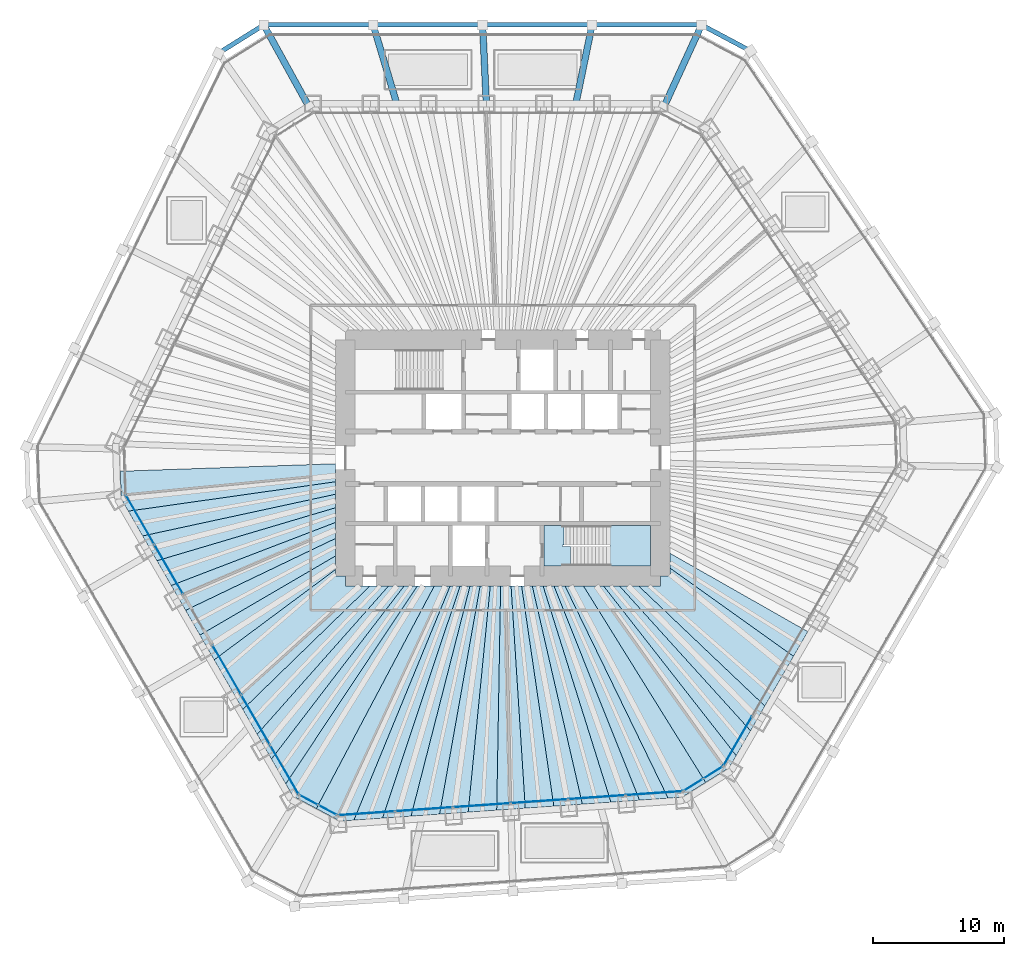
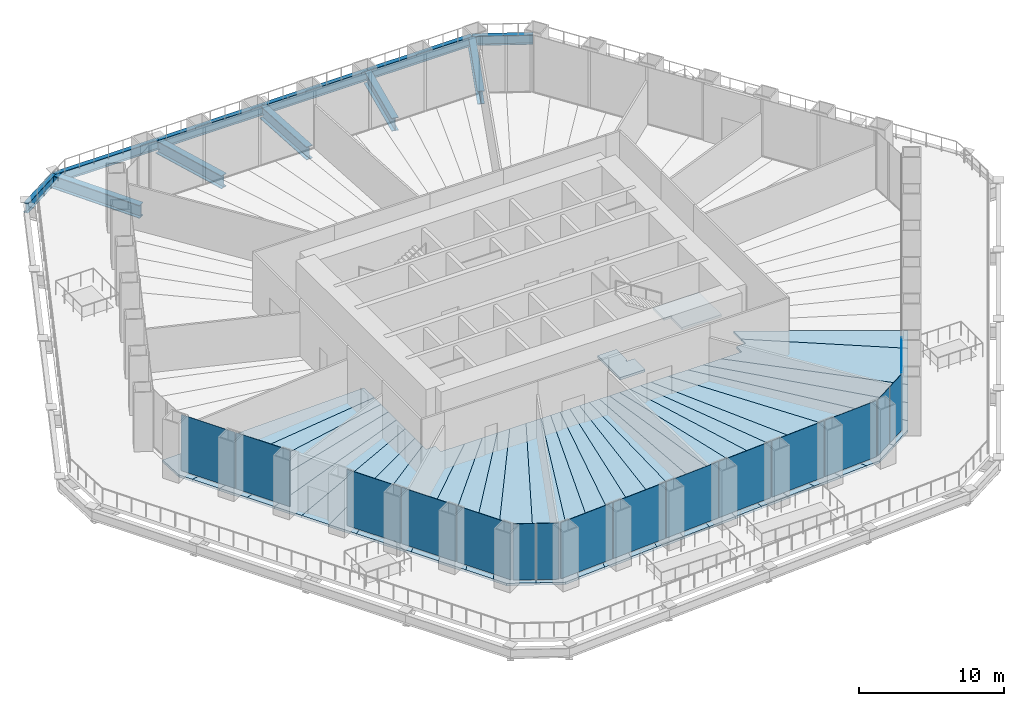
# One storey, part 12 of 20: 32 slabs, 16 plates, 11 beams, 7 elements without a shape of their own.
"""IFC4 building model written with IfcOpenShell, lengths in metres."""

from ifc_helpers import new_model, si_unit, direction, frame, origin, origin_2d, place, context, subcontext, project, spatial, polyline, rectangle, i_section, outline, extrude, material, layer, layer_set, material_profile, profile_set, type_object, element, aggregate, save


model = new_model("IFC4")

# Units and contexts
model_context = context("Model", 3, precision=1e-05, world=origin(), true_north=direction((0.0, 1.0)))
body_context = subcontext(model_context, "Body", "Model", "MODEL_VIEW")
ifc_project = project(units=[si_unit("LENGTHUNIT", "METRE"), si_unit("AREAUNIT", "SQUARE_METRE"), si_unit("VOLUMEUNIT", "CUBIC_METRE"), si_unit("PLANEANGLEUNIT", "RADIAN"), si_unit("MASSUNIT", "GRAM", prefix="KILO")], contexts=[model_context])

# Site, building, storey
site_placement = place(None, origin())
site = spatial("IfcSite", under=ifc_project, at=site_placement, CompositionType="ELEMENT")
building_placement = place(site_placement, origin())
building = spatial("IfcBuilding", under=site, at=building_placement, Name="Qingtian Harvest Tower", CompositionType="ELEMENT")
storey_placement = place(building_placement, frame((0.0, 0.0, 17.0)))
storey = spatial("IfcBuildingStorey", under=building, at=storey_placement, Name="L03", CompositionType="ELEMENT", Elevation=17.0)

# Beams
ifc_material_1 = material(Name="Steel SM570MC", Category="steel")
ifc_material_profile_1 = material_profile(ifc_material_1, i_section(OverallWidth=0.5, OverallDepth=1.10009765625, WebThickness=0.02490234375, FlangeThickness=0.050048828125, at=origin_2d()), Name="H1100x500x25x50")
ifc_profile_set_1 = profile_set([ifc_material_profile_1], Name="Steel SM570MC")
beam_type_1 = type_object("IfcBeamType", Name="Floor beam FB6 H1100x500x25x50", PredefinedType="BEAM", material=ifc_profile_set_1)
beam_1_placement = place(storey_placement, frame((-18.220703125, 33.0, -0.85009765625), z_axis=(0.483365161377, -0.875418825915, 0.0), x_axis=(0.875418825915, 0.483365161377, 0.0)))
element("IfcBeam", 1, at=beam_1_placement, inside=storey, type_object=beam_type_1, Name="Podium floor beam FB6 N0", PredefinedType="BEAM", context=body_context, shape_type="SweptSolid", body=[
    extrude(i_section(OverallWidth=0.5, OverallDepth=1.10009765625, WebThickness=0.02490234375, FlangeThickness=0.050048828125, at=origin_2d()), origin(), (0.0, 0.0, 1.0), 7.08544921875),
])
beam_2_placement = place(storey_placement, frame((-9.87890625, 33.0, -0.85009765625), z_axis=(0.286782790718, -0.957995632009, 0.0), x_axis=(0.957995632009, 0.286782790718, 0.0)))
element("IfcBeam", 2, at=beam_2_placement, inside=storey, type_object=beam_type_1, Name="Podium floor beam FB6 N1", PredefinedType="BEAM", context=body_context, shape_type="SweptSolid", body=[
    extrude(i_section(OverallWidth=0.5, OverallDepth=1.10009765625, WebThickness=0.02490234375, FlangeThickness=0.050048828125, at=origin_2d()), origin(), (0.0, 0.0, 1.0), 6.26318359375),
])
beam_3_placement = place(storey_placement, frame((-1.537109375, 33.0, -0.85009765625), z_axis=(0.046539686109, -0.998916441759, 0.0), x_axis=(0.998916441759, 0.046539686109, 0.0)))
element("IfcBeam", 3, at=beam_3_placement, inside=storey, type_object=beam_type_1, Name="Podium floor beam FB6 N2", PredefinedType="BEAM", context=body_context, shape_type="SweptSolid", body=[
    extrude(i_section(OverallWidth=0.5, OverallDepth=1.10009765625, WebThickness=0.02490234375, FlangeThickness=0.050048828125, at=origin_2d()), origin(), (0.0, 0.0, 1.0), 6.006591796875),
])
beam_4_placement = place(storey_placement, frame((6.8046875, 33.0, -0.85009765625), z_axis=(-0.201967754187, -0.979392171844, 0.0), x_axis=(0.979392171844, -0.201967754187, 0.0)))
element("IfcBeam", 4, at=beam_4_placement, inside=storey, type_object=beam_type_1, Name="Podium floor beam FB6 N3", PredefinedType="BEAM", context=body_context, shape_type="SweptSolid", body=[
    extrude(i_section(OverallWidth=0.5, OverallDepth=1.10009765625, WebThickness=0.02490234375, FlangeThickness=0.050048828125, at=origin_2d()), origin(), (0.0, 0.0, 1.0), 6.126220703125),
])
beam_5_placement = place(storey_placement, frame((15.146484375, 33.0, -0.85009765625), z_axis=(-0.417153576737, -0.908836010189, 0.0), x_axis=(0.908836010189, -0.417153576737, 0.0)))
element("IfcBeam", 5, at=beam_5_placement, inside=storey, type_object=beam_type_1, Name="Podium floor beam FB6 N4", PredefinedType="BEAM", context=body_context, shape_type="SweptSolid", body=[
    extrude(i_section(OverallWidth=0.5, OverallDepth=1.10009765625, WebThickness=0.02490234375, FlangeThickness=0.050048828125, at=origin_2d()), origin(), (0.0, 0.0, 1.0), 6.80712890625),
])
ifc_material_2 = material(Name="Steel SN490B", Category="steel")
ifc_material_profile_2 = material_profile(ifc_material_2, i_section(OverallWidth=0.35009765625, OverallDepth=0.800048828125, WebThickness=0.01611328125, FlangeThickness=0.028076171875, at=origin_2d()), Name="H800x350x16x28")
ifc_profile_set_2 = profile_set([ifc_material_profile_2], Name="Steel SN490B")
beam_type_2 = type_object("IfcBeamType", Name="Podium beam PB1 H800x350x16x28", PredefinedType="BEAM", material=ifc_profile_set_2)
for number, where, z_axis, x_axis, name in (
    (6, (-18.220703125, 33.0, -0.699951171875), (1.0, 0.0, 0.0), (0.0, 1.0, 0.0), "Podium edge beam PB1 N0"),
    (7, (-9.87890625, 33.0, -0.699951171875), (1.0, 0.0, 0.0), (0.0, 1.0, 0.0), "Podium edge beam PB1 N1"),
    (8, (-1.537109375, 33.0, -0.699951171875), (1.0, 0.0, 0.0), (0.0, 1.0, 0.0), "Podium edge beam PB1 N2"),
    (9, (6.8046875, 33.0, -0.699951171875), (1.0, 0.0, 0.0), (0.0, 1.0, 0.0), "Podium edge beam PB1 N3"),
):
    element("IfcBeam", number, at=place(storey_placement, frame(where, z_axis=z_axis, x_axis=x_axis)), inside=storey, type_object=beam_type_2, Name=name, PredefinedType="BEAM", context=body_context, shape_type="SweptSolid", body=[
        extrude(i_section(OverallWidth=0.35009765625, OverallDepth=0.800048828125, WebThickness=0.01611328125, FlangeThickness=0.028076171875, at=origin_2d()), origin(), (0.0, 0.0, 1.0), 8.341796875),
    ])
beam_6_placement = place(storey_placement, frame((15.146484375, 33.0, -0.699951171875), z_axis=(0.882935902835, -0.469493547863, 0.0), x_axis=(0.469493547863, 0.882935902835, 0.0)))
element("IfcBeam", 10, at=beam_6_placement, inside=storey, type_object=beam_type_2, Name="Podium edge beam PB1 N4", PredefinedType="BEAM", context=body_context, shape_type="SweptSolid", body=[
    extrude(i_section(OverallWidth=0.35009765625, OverallDepth=0.800048828125, WebThickness=0.01611328125, FlangeThickness=0.028076171875, at=origin_2d()), origin(), (0.0, 0.0, 1.0), 4.238037109375),
])
beam_7_placement = place(storey_placement, frame((-21.6728515625, 30.8427734375, -0.699951171875), z_axis=(0.848038733752, 0.529934246919, 0.0), x_axis=(-0.529934246919, 0.848038733752, 0.0)))
element("IfcBeam", 11, at=beam_7_placement, inside=storey, type_object=beam_type_2, Name="Podium edge beam PB1 NW4", PredefinedType="BEAM", context=body_context, shape_type="SweptSolid", body=[
    extrude(i_section(OverallWidth=0.35009765625, OverallDepth=0.800048828125, WebThickness=0.01611328125, FlangeThickness=0.028076171875, at=origin_2d()), origin(), (0.0, 0.0, 1.0), 4.07080078125),
])

# Slabs
ifc_material_3 = material(Name="Concrete fc' 35 MPa", Category="concrete")
ifc_layer_1 = layer(ifc_material_3, 0.199951171875)
ifc_layer_set_1 = layer_set([ifc_layer_1], Name="Composite floor slab FS20 200")
slab_type_1 = type_object("IfcSlabType", Name="Composite floor slab FS20 200", PredefinedType="FLOOR", material=ifc_layer_set_1)
slab_1_placement = place(storey_placement, frame((0.0, 0.0, -0.199951171875)))
element("IfcSlab", 12, at=slab_1_placement, inside=storey, type_object=slab_type_1, Name="Floor slab L03 panel D01", PredefinedType="FLOOR", context=body_context, shape_type="SweptSolid", body=[
    extrude(outline(polyline([(-29.157470703125, -1.018310546875), (-12.75, -0.447509765625), (-12.75, -1.822998046875), (-28.548583984375, -4.062255859375), (-29.08349609375, -3.135986328125), (-29.157470703125, -1.018310546875)])), origin(), (0.0, 0.0, 1.0), 0.199951171875),
])
slab_2_placement = place(storey_placement, frame((0.0, 0.0, -0.199951171875)))
element("IfcSlab", 13, at=slab_2_placement, inside=storey, type_object=slab_type_1, Name="Floor slab L03 panel D02", PredefinedType="FLOOR", context=body_context, shape_type="SweptSolid", body=[
    extrude(outline(polyline([(-12.75, -2.773681640625), (-27.45751953125, -5.9521484375), (-28.548583984375, -4.062255859375), (-12.75, -1.822998046875), (-12.75, -2.773681640625)])), origin(), (0.0, 0.0, 1.0), 0.199951171875),
])
slab_3_placement = place(storey_placement, frame((0.0, 0.0, -0.199951171875)))
element("IfcSlab", 14, at=slab_3_placement, inside=storey, type_object=slab_type_1, Name="Floor slab L03 panel D03", PredefinedType="FLOOR", context=body_context, shape_type="SweptSolid", body=[
    extrude(outline(polyline([(-12.75, -3.80322265625), (-26.366455078125, -7.842041015625), (-27.45751953125, -5.9521484375), (-12.75, -2.773681640625), (-12.75, -3.80322265625)])), origin(), (0.0, 0.0, 1.0), 0.199951171875),
])
slab_4_placement = place(storey_placement, frame((0.0, 0.0, -0.199951171875)))
element("IfcSlab", 15, at=slab_4_placement, inside=storey, type_object=slab_type_1, Name="Floor slab L03 panel D04", PredefinedType="FLOOR", context=body_context, shape_type="SweptSolid", body=[
    extrude(outline(polyline([(-12.75, -4.921875), (-25.275146484375, -9.732177734375), (-26.366455078125, -7.842041015625), (-12.75, -3.80322265625), (-12.75, -4.921875)])), origin(), (0.0, 0.0, 1.0), 0.199951171875),
])
slab_5_placement = place(storey_placement, frame((0.0, 0.0, -0.199951171875)))
element("IfcSlab", 16, at=slab_5_placement, inside=storey, type_object=slab_type_1, Name="Floor slab L03 panel D05", PredefinedType="FLOOR", context=body_context, shape_type="SweptSolid", body=[
    extrude(outline(polyline([(-12.75, -6.141357421875), (-24.18408203125, -11.6220703125), (-25.275146484375, -9.732177734375), (-12.75, -4.921875), (-12.75, -6.141357421875)])), origin(), (0.0, 0.0, 1.0), 0.199951171875),
])
slab_6_placement = place(storey_placement, frame((0.0, 0.0, -0.199951171875)))
element("IfcSlab", 17, at=slab_6_placement, inside=storey, type_object=slab_type_1, Name="Floor slab L03 panel D06", PredefinedType="FLOOR", context=body_context, shape_type="SweptSolid", body=[
    extrude(outline(polyline([(-12.75, -7.4765625), (-23.0927734375, -13.511962890625), (-24.18408203125, -11.6220703125), (-12.75, -6.141357421875), (-12.75, -7.4765625)])), origin(), (0.0, 0.0, 1.0), 0.199951171875),
])
slab_7_placement = place(storey_placement, frame((0.0, 0.0, -0.199951171875)))
element("IfcSlab", 18, at=slab_7_placement, inside=storey, type_object=slab_type_1, Name="Floor slab L03 panel D07", PredefinedType="FLOOR", context=body_context, shape_type="SweptSolid", body=[
    extrude(outline(polyline([(-12.75, -8.512451171875), (-22.00537109375, -15.3955078125), (-23.0927734375, -13.511962890625), (-12.75, -7.4765625), (-12.75, -8.512451171875)])), origin(), (0.0, 0.0, 1.0), 0.199951171875),
])
slab_8_placement = place(storey_placement, frame((0.0, 0.0, -0.199951171875)))
element("IfcSlab", 19, at=slab_8_placement, inside=storey, type_object=slab_type_1, Name="Floor slab L03 panel D09", PredefinedType="FLOOR", context=body_context, shape_type="SweptSolid", body=[
    extrude(outline(polyline([(-19.81982421875, -19.18115234375), (-22.00537109375, -15.3955078125), (-12.75, -8.512451171875), (-12.75, -9.0), (-12.0, -9.0), (-12.0, -9.75), (-10.1123046875, -9.75), (-19.81982421875, -19.18115234375)])), origin(), (0.0, 0.0, 1.0), 0.199951171875),
])
slab_9_placement = place(storey_placement, frame((0.0, 0.0, -0.199951171875)))
element("IfcSlab", 20, at=slab_9_placement, inside=storey, type_object=slab_type_1, Name="Floor slab L03 panel D10", PredefinedType="FLOOR", context=body_context, shape_type="SweptSolid", body=[
    extrude(outline(polyline([(-8.694580078125, -9.75), (-18.728515625, -21.0712890625), (-19.81982421875, -19.18115234375), (-10.1123046875, -9.75), (-8.694580078125, -9.75)])), origin(), (0.0, 0.0, 1.0), 0.199951171875),
])
slab_10_placement = place(storey_placement, frame((0.0, 0.0, -0.199951171875)))
element("IfcSlab", 21, at=slab_10_placement, inside=storey, type_object=slab_type_1, Name="Floor slab L03 panel D11", PredefinedType="FLOOR", context=body_context, shape_type="SweptSolid", body=[
    extrude(outline(polyline([(-7.511474609375, -9.75), (-17.63720703125, -22.961181640625), (-18.728515625, -21.0712890625), (-8.694580078125, -9.75), (-7.511474609375, -9.75)])), origin(), (0.0, 0.0, 1.0), 0.199951171875),
])
slab_11_placement = place(storey_placement, frame((0.0, 0.0, -0.199951171875)))
element("IfcSlab", 22, at=slab_11_placement, inside=storey, type_object=slab_type_1, Name="Floor slab L03 panel D12", PredefinedType="FLOOR", context=body_context, shape_type="SweptSolid", body=[
    extrude(outline(polyline([(-6.509033203125, -9.75), (-16.546142578125, -24.851318359375), (-17.63720703125, -22.961181640625), (-7.511474609375, -9.75), (-6.509033203125, -9.75)])), origin(), (0.0, 0.0, 1.0), 0.199951171875),
])
slab_12_placement = place(storey_placement, frame((0.0, 0.0, -0.199951171875)))
element("IfcSlab", 23, at=slab_12_placement, inside=storey, type_object=slab_type_1, Name="Floor slab L03 panel D13", PredefinedType="FLOOR", context=body_context, shape_type="SweptSolid", body=[
    extrude(outline(polyline([(-6.509033203125, -9.75), (-5.213623046875, -9.75), (-14.214599609375, -26.73291015625), (-16.01123046875, -25.777587890625), (-16.546142578125, -24.851318359375), (-6.509033203125, -9.75)])), origin(), (0.0, 0.0, 1.0), 0.199951171875),
])
slab_13_placement = place(storey_placement, frame((0.0, 0.0, -0.199951171875)))
element("IfcSlab", 24, at=slab_13_placement, inside=storey, type_object=slab_type_1, Name="Floor slab L03 panel D14", PredefinedType="FLOOR", context=body_context, shape_type="SweptSolid", body=[
    extrude(outline(polyline([(-5.213623046875, -9.75), (-4.006591796875, -9.75), (-11.350341796875, -27.614013671875), (-12.417236328125, -27.688720703125), (-14.214599609375, -26.73291015625), (-5.213623046875, -9.75)])), origin(), (0.0, 0.0, 1.0), 0.199951171875),
])
slab_14_placement = place(storey_placement, frame((0.0, 0.0, -0.199951171875)))
element("IfcSlab", 25, at=slab_14_placement, inside=storey, type_object=slab_type_1, Name="Floor slab L03 panel D15", PredefinedType="FLOOR", context=body_context, shape_type="SweptSolid", body=[
    extrude(outline(polyline([(-3.255859375, -9.75), (-9.17333984375, -27.4619140625), (-11.350341796875, -27.614013671875), (-4.006591796875, -9.75), (-3.255859375, -9.75)])), origin(), (0.0, 0.0, 1.0), 0.199951171875),
])
slab_15_placement = place(storey_placement, frame((0.0, 0.0, -0.199951171875)))
element("IfcSlab", 26, at=slab_15_placement, inside=storey, type_object=slab_type_1, Name="Floor slab L03 panel D16", PredefinedType="FLOOR", context=body_context, shape_type="SweptSolid", body=[
    extrude(outline(polyline([(-2.496826171875, -9.75), (-6.996337890625, -27.3095703125), (-9.17333984375, -27.4619140625), (-3.255859375, -9.75), (-2.496826171875, -9.75)])), origin(), (0.0, 0.0, 1.0), 0.199951171875),
])
slab_16_placement = place(storey_placement, frame((0.0, 0.0, -0.199951171875)))
element("IfcSlab", 27, at=slab_16_placement, inside=storey, type_object=slab_type_1, Name="Floor slab L03 panel D17", PredefinedType="FLOOR", context=body_context, shape_type="SweptSolid", body=[
    extrude(outline(polyline([(-1.729248046875, -9.75), (-4.8193359375, -27.1572265625), (-6.996337890625, -27.3095703125), (-2.496826171875, -9.75), (-1.729248046875, -9.75)])), origin(), (0.0, 0.0, 1.0), 0.199951171875),
])
slab_17_placement = place(storey_placement, frame((0.0, 0.0, -0.199951171875)))
element("IfcSlab", 28, at=slab_17_placement, inside=storey, type_object=slab_type_1, Name="Floor slab L03 panel D18", PredefinedType="FLOOR", context=body_context, shape_type="SweptSolid", body=[
    extrude(outline(polyline([(-0.952880859375, -9.75), (-2.642333984375, -27.005126953125), (-4.8193359375, -27.1572265625), (-1.729248046875, -9.75), (-0.952880859375, -9.75)])), origin(), (0.0, 0.0, 1.0), 0.199951171875),
])
slab_18_placement = place(storey_placement, frame((0.0, 0.0, -0.199951171875)))
element("IfcSlab", 29, at=slab_18_placement, inside=storey, type_object=slab_type_1, Name="Floor slab L03 panel D19", PredefinedType="FLOOR", context=body_context, shape_type="SweptSolid", body=[
    extrude(outline(polyline([(-0.16796875, -9.75), (-0.46533203125, -26.852783203125), (-2.642333984375, -27.005126953125), (-0.952880859375, -9.75), (-0.16796875, -9.75)])), origin(), (0.0, 0.0, 1.0), 0.199951171875),
])
slab_19_placement = place(storey_placement, frame((0.0, 0.0, -0.199951171875)))
element("IfcSlab", 30, at=slab_19_placement, inside=storey, type_object=slab_type_1, Name="Floor slab L03 panel D20", PredefinedType="FLOOR", context=body_context, shape_type="SweptSolid", body=[
    extrude(outline(polyline([(0.626220703125, -9.75), (1.711669921875, -26.70068359375), (-0.46533203125, -26.852783203125), (-0.16796875, -9.75), (0.626220703125, -9.75)])), origin(), (0.0, 0.0, 1.0), 0.199951171875),
])
slab_20_placement = place(storey_placement, frame((0.0, 0.0, -0.199951171875)))
element("IfcSlab", 31, at=slab_20_placement, inside=storey, type_object=slab_type_1, Name="Floor slab L03 panel D21", PredefinedType="FLOOR", context=body_context, shape_type="SweptSolid", body=[
    extrude(outline(polyline([(1.42919921875, -9.75), (3.888671875, -26.54833984375), (1.711669921875, -26.70068359375), (0.626220703125, -9.75), (1.42919921875, -9.75)])), origin(), (0.0, 0.0, 1.0), 0.199951171875),
])
slab_21_placement = place(storey_placement, frame((0.0, 0.0, -0.199951171875)))
element("IfcSlab", 32, at=slab_21_placement, inside=storey, type_object=slab_type_1, Name="Floor slab L03 panel D22", PredefinedType="FLOOR", context=body_context, shape_type="SweptSolid", body=[
    extrude(outline(polyline([(2.24169921875, -9.75), (6.065673828125, -26.396240234375), (3.888671875, -26.54833984375), (1.42919921875, -9.75), (2.24169921875, -9.75)])), origin(), (0.0, 0.0, 1.0), 0.199951171875),
])
slab_22_placement = place(storey_placement, frame((0.0, 0.0, -0.199951171875)))
element("IfcSlab", 33, at=slab_22_placement, inside=storey, type_object=slab_type_1, Name="Floor slab L03 panel D23", PredefinedType="FLOOR", context=body_context, shape_type="SweptSolid", body=[
    extrude(outline(polyline([(3.0634765625, -9.75), (8.24267578125, -26.243896484375), (6.065673828125, -26.396240234375), (2.24169921875, -9.75), (3.0634765625, -9.75)])), origin(), (0.0, 0.0, 1.0), 0.199951171875),
])
slab_23_placement = place(storey_placement, frame((0.0, 0.0, -0.199951171875)))
element("IfcSlab", 34, at=slab_23_placement, inside=storey, type_object=slab_type_1, Name="Floor slab L03 panel D24", PredefinedType="FLOOR", context=body_context, shape_type="SweptSolid", body=[
    extrude(outline(polyline([(3.894775390625, -9.75), (10.419677734375, -26.091796875), (8.24267578125, -26.243896484375), (3.0634765625, -9.75), (3.894775390625, -9.75)])), origin(), (0.0, 0.0, 1.0), 0.199951171875),
])
slab_24_placement = place(storey_placement, frame((0.0, 0.0, -0.199951171875)))
element("IfcSlab", 35, at=slab_24_placement, inside=storey, type_object=slab_type_1, Name="Floor slab L03 panel D25", PredefinedType="FLOOR", context=body_context, shape_type="SweptSolid", body=[
    extrude(outline(polyline([(4.736083984375, -9.75), (12.5966796875, -25.939453125), (10.419677734375, -26.091796875), (3.894775390625, -9.75), (4.736083984375, -9.75)])), origin(), (0.0, 0.0, 1.0), 0.199951171875),
])
slab_25_placement = place(storey_placement, frame((0.0, 0.0, -0.199951171875)))
element("IfcSlab", 36, at=slab_25_placement, inside=storey, type_object=slab_type_1, Name="Floor slab L03 panel D26", PredefinedType="FLOOR", context=body_context, shape_type="SweptSolid", body=[
    extrude(outline(polyline([(4.736083984375, -9.75), (6.136474609375, -9.75), (15.4609375, -24.74169921875), (13.663330078125, -25.864990234375), (12.5966796875, -25.939453125), (4.736083984375, -9.75)])), origin(), (0.0, 0.0, 1.0), 0.199951171875),
])
slab_26_placement = place(storey_placement, frame((0.0, 0.0, -0.199951171875)))
element("IfcSlab", 37, at=slab_26_placement, inside=storey, type_object=slab_type_1, Name="Floor slab L03 panel D27", PredefinedType="FLOOR", context=body_context, shape_type="SweptSolid", body=[
    extrude(outline(polyline([(6.136474609375, -9.75), (7.66748046875, -9.75), (17.79248046875, -22.692626953125), (17.257568359375, -23.618896484375), (15.4609375, -24.74169921875), (6.136474609375, -9.75)])), origin(), (0.0, 0.0, 1.0), 0.199951171875),
])
slab_27_placement = place(storey_placement, frame((0.0, 0.0, -0.199951171875)))
element("IfcSlab", 38, at=slab_27_placement, inside=storey, type_object=slab_type_1, Name="Floor slab L03 panel D28", PredefinedType="FLOOR", context=body_context, shape_type="SweptSolid", body=[
    extrude(outline(polyline([(8.88037109375, -9.75), (18.883544921875, -20.802734375), (17.79248046875, -22.692626953125), (7.66748046875, -9.75), (8.88037109375, -9.75)])), origin(), (0.0, 0.0, 1.0), 0.199951171875),
])
slab_28_placement = place(storey_placement, frame((0.0, 0.0, -0.199951171875)))
element("IfcSlab", 39, at=slab_28_placement, inside=storey, type_object=slab_type_1, Name="Floor slab L03 panel D29", PredefinedType="FLOOR", context=body_context, shape_type="SweptSolid", body=[
    extrude(outline(polyline([(10.337158203125, -9.75), (19.974853515625, -18.91259765625), (18.883544921875, -20.802734375), (8.88037109375, -9.75), (10.337158203125, -9.75)])), origin(), (0.0, 0.0, 1.0), 0.199951171875),
])
slab_29_placement = place(storey_placement, frame((0.0, 0.0, -0.199951171875)))
element("IfcSlab", 40, at=slab_29_placement, inside=storey, type_object=slab_type_1, Name="Floor slab L03 panel D31", PredefinedType="FLOOR", context=body_context, shape_type="SweptSolid", body=[
    extrude(outline(polyline([(12.75, -8.4091796875), (22.159423828125, -15.128662109375), (19.974853515625, -18.91259765625), (10.337158203125, -9.75), (12.0, -9.75), (12.0, -9.0), (12.75, -9.0), (12.75, -8.4091796875)])), origin(), (0.0, 0.0, 1.0), 0.199951171875),
])
slab_30_placement = place(storey_placement, frame((0.0, 0.0, -0.199951171875)))
element("IfcSlab", 41, at=slab_30_placement, inside=storey, type_object=slab_type_1, Name="Floor slab L03 panel D32", PredefinedType="FLOOR", context=body_context, shape_type="SweptSolid", body=[
    extrude(outline(polyline([(12.75, -7.279052734375), (23.247802734375, -13.243408203125), (22.159423828125, -15.128662109375), (12.75, -8.4091796875), (12.75, -7.279052734375)])), origin(), (0.0, 0.0, 1.0), 0.199951171875),
])

# Curtain wall, plate
ifc_material_4 = material(Name="Bronze-anodised aluminium curtain wall", Category="aluminium")
curtain_wall_type = type_object("IfcCurtainWallType", Name="Curtain wall CW2 farm reception", PredefinedType="USERDEFINED", material=ifc_material_4)
curtain_wall_1_placement = place(storey_placement, origin())
curtain_wall_1 = element("IfcCurtainWall", 42, at=curtain_wall_1_placement, inside=storey, type_object=curtain_wall_type, Name="Curtain wall CW2 L03 SE0-5", ObjectType="RECESSED CURTAIN WALL", PredefinedType="USERDEFINED")
ifc_material_5 = material(Name="Bronze-tinted laminated insulating glass", Category="glass")
ifc_layer_2 = layer(ifc_material_5, 0.030029296875)
ifc_layer_set_2 = layer_set([ifc_layer_2], Name="Glazed panel CWP tinted IGU")
plate_type = type_object("IfcPlateType", Name="Glazed panel CWP tinted IGU", PredefinedType="CURTAIN_PANEL", material=ifc_layer_set_2)
plate_1_placement = place(storey_placement, frame((17.90771484375, -21.5830078125, 0.06494140625), z_axis=(0.0, 0.0, 1.0), x_axis=(-0.5, -0.866025403784, 0.0)))
plate_1 = element("IfcPlate", 43, at=plate_1_placement, type_object=plate_type, Name="CW2 panel 6.1", PredefinedType="CURTAIN_PANEL", context=body_context, shape_type="SweptSolid", body=[
    extrude(rectangle(XDim=4.30712890625, YDim=0.030029296875, at=origin_2d()), origin(), (0.0, 0.0, 1.0), 4.735107421875),
])
aggregate(curtain_wall_1, [plate_1])

# Curtain wall, plates
curtain_wall_2_placement = place(storey_placement, origin())
curtain_wall_2 = element("IfcCurtainWall", 44, at=curtain_wall_2_placement, inside=storey, type_object=curtain_wall_type, Name="Curtain wall CW2 L03 SEC", ObjectType="RECESSED CURTAIN WALL", PredefinedType="USERDEFINED")
plate_2_placement = place(storey_placement, frame((16.025390625, -23.9873046875, 0.06494140625), z_axis=(0.0, 0.0, 1.0), x_axis=(-0.848048096156, -0.529919264233, 0.0)))
plate_2 = element("IfcPlate", 45, at=plate_2_placement, type_object=plate_type, Name="CW2 panel 1.1", PredefinedType="CURTAIN_PANEL", context=body_context, shape_type="SweptSolid", body=[
    extrude(rectangle(XDim=1.69287109375, YDim=0.030029296875, at=origin_2d()), origin(), (0.0, 0.0, 1.0), 4.735107421875),
])
plate_3_placement = place(storey_placement, frame((14.53466796875, -24.9189453125, 0.06494140625), z_axis=(0.0, 0.0, 1.0), x_axis=(-0.848048096156, -0.529919264233, 0.0)))
plate_3 = element("IfcPlate", 46, at=plate_3_placement, type_object=plate_type, Name="CW2 panel 2.1", PredefinedType="CURTAIN_PANEL", context=body_context, shape_type="SweptSolid", body=[
    extrude(rectangle(XDim=1.69287109375, YDim=0.030029296875, at=origin_2d()), origin(), (0.0, 0.0, 1.0), 4.735107421875),
])
aggregate(curtain_wall_2, [plate_2, plate_3])

curtain_wall_3_placement = place(storey_placement, origin())
curtain_wall_3 = element("IfcCurtainWall", 47, at=curtain_wall_3_placement, inside=storey, type_object=curtain_wall_type, Name="Curtain wall CW2 L03 S0-5", ObjectType="RECESSED CURTAIN WALL", PredefinedType="USERDEFINED")
plate_4_placement = place(storey_placement, frame((11.548583984375, -25.556640625, 0.06494140625), z_axis=(0.0, 0.0, 1.0), x_axis=(-0.99756405026, -0.069756473744, 0.0)))
plate_4 = element("IfcPlate", 48, at=plate_4_placement, type_object=plate_type, Name="CW2 panel 1.1", PredefinedType="CURTAIN_PANEL", context=body_context, shape_type="SweptSolid", body=[
    extrude(rectangle(XDim=4.30712890625, YDim=0.030029296875, at=origin_2d()), origin(), (0.0, 0.0, 1.0), 4.735107421875),
])
plate_5_placement = place(storey_placement, frame((7.1708984375, -25.86279296875, 0.06494140625), z_axis=(0.0, 0.0, 1.0), x_axis=(-0.99756405026, -0.069756473744, 0.0)))
plate_5 = element("IfcPlate", 49, at=plate_5_placement, type_object=plate_type, Name="CW2 panel 2.1", PredefinedType="CURTAIN_PANEL", context=body_context, shape_type="SweptSolid", body=[
    extrude(rectangle(XDim=4.339599609375, YDim=0.030029296875, at=origin_2d()), origin(), (0.0, 0.0, 1.0), 4.735107421875),
])
plate_6_placement = place(storey_placement, frame((2.77685546875, -26.169921875, 0.06494140625), z_axis=(0.0, 0.0, 1.0), x_axis=(-0.99756405026, -0.069756473744, 0.0)))
plate_6 = element("IfcPlate", 50, at=plate_6_placement, type_object=plate_type, Name="CW2 panel 3.1", PredefinedType="CURTAIN_PANEL", context=body_context, shape_type="SweptSolid", body=[
    extrude(rectangle(XDim=4.339599609375, YDim=0.030029296875, at=origin_2d()), origin(), (0.0, 0.0, 1.0), 4.735107421875),
])
plate_7_placement = place(storey_placement, frame((-1.616943359375, -26.477294921875, 0.06494140625), z_axis=(0.0, 0.0, 1.0), x_axis=(-0.99756405026, -0.069756473744, 0.0)))
plate_7 = element("IfcPlate", 51, at=plate_7_placement, type_object=plate_type, Name="CW2 panel 4.1", PredefinedType="CURTAIN_PANEL", context=body_context, shape_type="SweptSolid", body=[
    extrude(rectangle(XDim=4.339599609375, YDim=0.030029296875, at=origin_2d()), origin(), (0.0, 0.0, 1.0), 4.735107421875),
])
plate_8_placement = place(storey_placement, frame((-6.0107421875, -26.784423828125, 0.06494140625), z_axis=(0.0, 0.0, 1.0), x_axis=(-0.99756405026, -0.069756473744, 0.0)))
plate_8 = element("IfcPlate", 52, at=plate_8_placement, type_object=plate_type, Name="CW2 panel 5.1", PredefinedType="CURTAIN_PANEL", context=body_context, shape_type="SweptSolid", body=[
    extrude(rectangle(XDim=4.339599609375, YDim=0.030029296875, at=origin_2d()), origin(), (0.0, 0.0, 1.0), 4.735107421875),
])
plate_9_placement = place(storey_placement, frame((-10.388427734375, -27.090576171875, 0.06494140625), z_axis=(0.0, 0.0, 1.0), x_axis=(-0.99756405026, -0.069756473744, 0.0)))
plate_9 = element("IfcPlate", 53, at=plate_9_placement, type_object=plate_type, Name="CW2 panel 6.1", PredefinedType="CURTAIN_PANEL", context=body_context, shape_type="SweptSolid", body=[
    extrude(rectangle(XDim=4.30712890625, YDim=0.030029296875, at=origin_2d()), origin(), (0.0, 0.0, 1.0), 4.735107421875),
])
aggregate(curtain_wall_3, [plate_4, plate_5, plate_6, plate_7, plate_8, plate_9])

curtain_wall_4_placement = place(storey_placement, origin())
curtain_wall_4 = element("IfcCurtainWall", 54, at=curtain_wall_4_placement, inside=storey, type_object=curtain_wall_type, Name="Curtain wall CW2 L03 SC", ObjectType="RECESSED CURTAIN WALL", PredefinedType="USERDEFINED")
plate_10_placement = place(storey_placement, frame((-13.350830078125, -26.84716796875, 0.06494140625), z_axis=(0.0, 0.0, 1.0), x_axis=(-0.882947592859, 0.469471562786, 0.0)))
plate_10 = element("IfcPlate", 55, at=plate_10_placement, type_object=plate_type, Name="CW2 panel 1.1", PredefinedType="CURTAIN_PANEL", context=body_context, shape_type="SweptSolid", body=[
    extrude(rectangle(XDim=1.56689453125, YDim=0.030029296875, at=origin_2d()), origin(), (0.0, 0.0, 1.0), 4.735107421875),
])
plate_11_placement = place(storey_placement, frame((-14.79150390625, -26.0810546875, 0.06494140625), z_axis=(0.0, 0.0, 1.0), x_axis=(-0.882947592859, 0.469471562786, 0.0)))
plate_11 = element("IfcPlate", 56, at=plate_11_placement, type_object=plate_type, Name="CW2 panel 2.1", PredefinedType="CURTAIN_PANEL", context=body_context, shape_type="SweptSolid", body=[
    extrude(rectangle(XDim=1.56689453125, YDim=0.030029296875, at=origin_2d()), origin(), (0.0, 0.0, 1.0), 4.735107421875),
])
aggregate(curtain_wall_4, [plate_10, plate_11])

curtain_wall_5_placement = place(storey_placement, origin())
curtain_wall_5 = element("IfcCurtainWall", 57, at=curtain_wall_5_placement, inside=storey, type_object=curtain_wall_type, Name="Curtain wall CW2 L03 SW0-2", ObjectType="RECESSED CURTAIN WALL", PredefinedType="USERDEFINED")
plate_12_placement = place(storey_placement, frame((-16.64990234375, -23.76123046875, 0.06494140625), z_axis=(0.0, 0.0, 1.0), x_axis=(-0.5, 0.866025403784, 0.0)))
plate_12 = element("IfcPlate", 58, at=plate_12_placement, type_object=plate_type, Name="CW2 panel 1.1", PredefinedType="CURTAIN_PANEL", context=body_context, shape_type="SweptSolid", body=[
    extrude(rectangle(XDim=4.30712890625, YDim=0.030029296875, at=origin_2d()), origin(), (0.0, 0.0, 1.0), 4.735107421875),
])
plate_13_placement = place(storey_placement, frame((-18.84423828125, -19.9609375, 0.06494140625), z_axis=(0.0, 0.0, 1.0), x_axis=(-0.5, 0.866025403784, 0.0)))
plate_13 = element("IfcPlate", 59, at=plate_13_placement, type_object=plate_type, Name="CW2 panel 2.1", PredefinedType="CURTAIN_PANEL", context=body_context, shape_type="SweptSolid", body=[
    extrude(rectangle(XDim=4.339599609375, YDim=0.030029296875, at=origin_2d()), origin(), (0.0, 0.0, 1.0), 4.735107421875),
])
plate_14_placement = place(storey_placement, frame((-21.038330078125, -16.160400390625, 0.06494140625), z_axis=(0.0, 0.0, 1.0), x_axis=(-0.5, 0.866025403784, 0.0)))
plate_14 = element("IfcPlate", 60, at=plate_14_placement, type_object=plate_type, Name="CW2 panel 3.1", PredefinedType="CURTAIN_PANEL", context=body_context, shape_type="SweptSolid", body=[
    extrude(rectangle(XDim=4.30712890625, YDim=0.030029296875, at=origin_2d()), origin(), (0.0, 0.0, 1.0), 4.735107421875),
])
aggregate(curtain_wall_5, [plate_12, plate_13, plate_14])

curtain_wall_6_placement = place(storey_placement, origin())
curtain_wall_6 = element("IfcCurtainWall", 61, at=curtain_wall_6_placement, inside=storey, type_object=curtain_wall_type, Name="Curtain wall CW2 L03 SW4-5", ObjectType="RECESSED CURTAIN WALL", PredefinedType="USERDEFINED")
plate_15_placement = place(storey_placement, frame((-25.459228515625, -8.50341796875, 0.06494140625), z_axis=(0.0, 0.0, 1.0), x_axis=(-0.5, 0.866025403784, 0.0)))
plate_15 = element("IfcPlate", 62, at=plate_15_placement, type_object=plate_type, Name="CW2 panel 1.1", PredefinedType="CURTAIN_PANEL", context=body_context, shape_type="SweptSolid", body=[
    extrude(rectangle(XDim=4.30712890625, YDim=0.030029296875, at=origin_2d()), origin(), (0.0, 0.0, 1.0), 4.735107421875),
])
plate_16_placement = place(storey_placement, frame((-27.645263671875, -4.717041015625, 0.06494140625), z_axis=(0.0, 0.0, 1.0), x_axis=(-0.5, 0.866025403784, 0.0)))
plate_16 = element("IfcPlate", 63, at=plate_16_placement, type_object=plate_type, Name="CW2 panel 2.1", PredefinedType="CURTAIN_PANEL", context=body_context, shape_type="SweptSolid", body=[
    extrude(rectangle(XDim=4.30712890625, YDim=0.030029296875, at=origin_2d()), origin(), (0.0, 0.0, 1.0), 4.735107421875),
])
aggregate(curtain_wall_6, [plate_15, plate_16])

# Stair, slabs
ifc_material_6 = material(Name="Concrete fc' 35 MPa", Category="concrete")
stair_type = type_object("IfcStairType", Name="Special stair ST2 5000", PredefinedType="HALF_TURN_STAIR", material=ifc_material_6)
stair_placement = place(storey_placement, origin())
stair = element("IfcStair", 64, at=stair_placement, inside=storey, type_object=stair_type, Name="Special stair S2 L03", PredefinedType="HALF_TURN_STAIR")
ifc_material_7 = material(Name="Concrete fc' 35 MPa", Category="concrete")
ifc_layer_3 = layer(ifc_material_7, 0.199951171875)
ifc_layer_set_3 = layer_set([ifc_layer_3], Name="Stair landing SL2 200")
slab_type_2 = type_object("IfcSlabType", Name="Stair landing SL2 200", PredefinedType="LANDING", material=ifc_layer_set_3)
slab_31_placement = place(storey_placement, frame((0.0, 0.0, -0.199951171875)))
slab_31 = element("IfcSlab", 65, at=slab_31_placement, type_object=slab_type_2, Name="S2 landing 1", PredefinedType="LANDING", context=body_context, shape_type="SweptSolid", body=[
    extrude(outline(polyline([(5.155029296875, -8.25), (3.14990234375, -8.25), (3.14990234375, -5.14990234375), (4.64990234375, -5.14990234375), (4.64990234375, -6.64990234375), (4.550048828125, -6.64990234375), (4.550048828125, -6.75), (5.155029296875, -6.75), (5.155029296875, -8.25)])), origin(), (0.0, 0.0, 1.0), 0.199951171875),
])
slab_32_placement = place(storey_placement, frame((0.0, 0.0, 2.300048828125)))
slab_32 = element("IfcSlab", 66, at=slab_32_placement, type_object=slab_type_2, Name="S2 landing 2", PredefinedType="LANDING", context=body_context, shape_type="SweptSolid", body=[
    extrude(outline(polyline([(8.090087890625, -8.25), (8.090087890625, -6.75), (8.18994140625, -6.75), (8.18994140625, -6.64990234375), (7.5849609375, -6.64990234375), (7.5849609375, -5.14990234375), (11.25, -5.14990234375), (11.25, -8.25), (8.090087890625, -8.25)])), origin(), (0.0, 0.0, 1.0), 0.199951171875),
])
aggregate(stair, [slab_31, slab_32])

save(model, "model.ifc")
